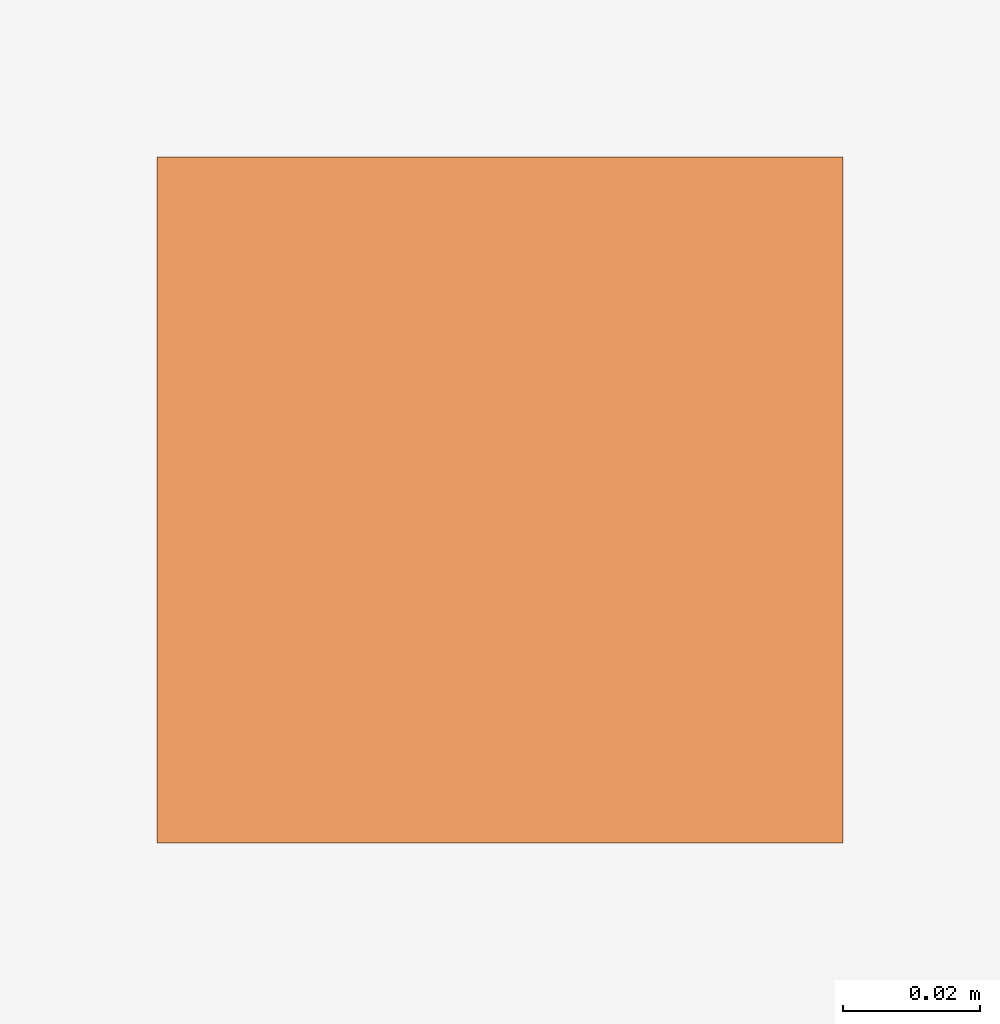
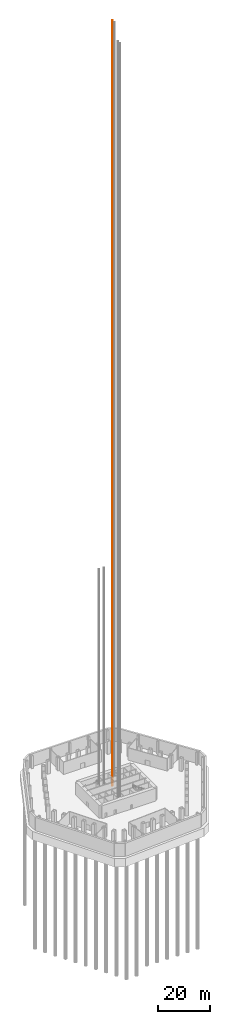
# One storey, part 12 of 12: 1 proxy.
"""IFC4 building model written with IfcOpenShell, lengths in metres."""

from ifc_helpers import new_model, si_unit, direction, frame, origin, origin_2d, place, context, subcontext, project, spatial, rectangle, extrude, material, type_object, element, save


model = new_model("IFC4")

# Units and contexts
model_context = context("Model", 3, precision=1e-05, world=origin(), true_north=direction((0.0, 1.0)))
body_context = subcontext(model_context, "Body", "Model", "MODEL_VIEW")
ifc_project = project(units=[si_unit("LENGTHUNIT", "METRE"), si_unit("AREAUNIT", "SQUARE_METRE"), si_unit("VOLUMEUNIT", "CUBIC_METRE"), si_unit("PLANEANGLEUNIT", "RADIAN"), si_unit("MASSUNIT", "GRAM", prefix="KILO")], contexts=[model_context])

# Site, building, storey
site_placement = place(None, origin())
site = spatial("IfcSite", under=ifc_project, at=site_placement, CompositionType="ELEMENT")
building_placement = place(site_placement, origin())
building = spatial("IfcBuilding", under=site, at=building_placement, Name="Qingtian Harvest Tower", CompositionType="ELEMENT")
storey_placement = place(building_placement, frame((0.0, 0.0, -12.0)))
storey = spatial("IfcBuildingStorey", under=building, at=storey_placement, Name="B2", CompositionType="ELEMENT", Elevation=-12.0)

# Proxy
ifc_material = material(Name="Steel SN490B", Category="steel")
building_element_proxy_type = type_object("IfcBuildingElementProxyType", Name="Lift guide rail LR1", PredefinedType="NOTDEFINED", material=ifc_material)
proxy_placement = place(storey_placement, frame((2.60009765625, 7.550048828125, 0.0), z_axis=(0.0, 0.0, 1.0), x_axis=(1.0, 0.0, 0.0)))
element("IfcBuildingElementProxy", 1, at=proxy_placement, inside=storey, type_object=building_element_proxy_type, Name="Lift FL1 guide rail 2", PredefinedType="NOTDEFINED", context=body_context, shape_type="SweptSolid", body=[
    extrude(rectangle(XDim=0.10009765625, YDim=0.10009765625, at=origin_2d()), origin(), (0.0, 0.0, 1.0), 358.0),
])

save(model, "model.ifc")
